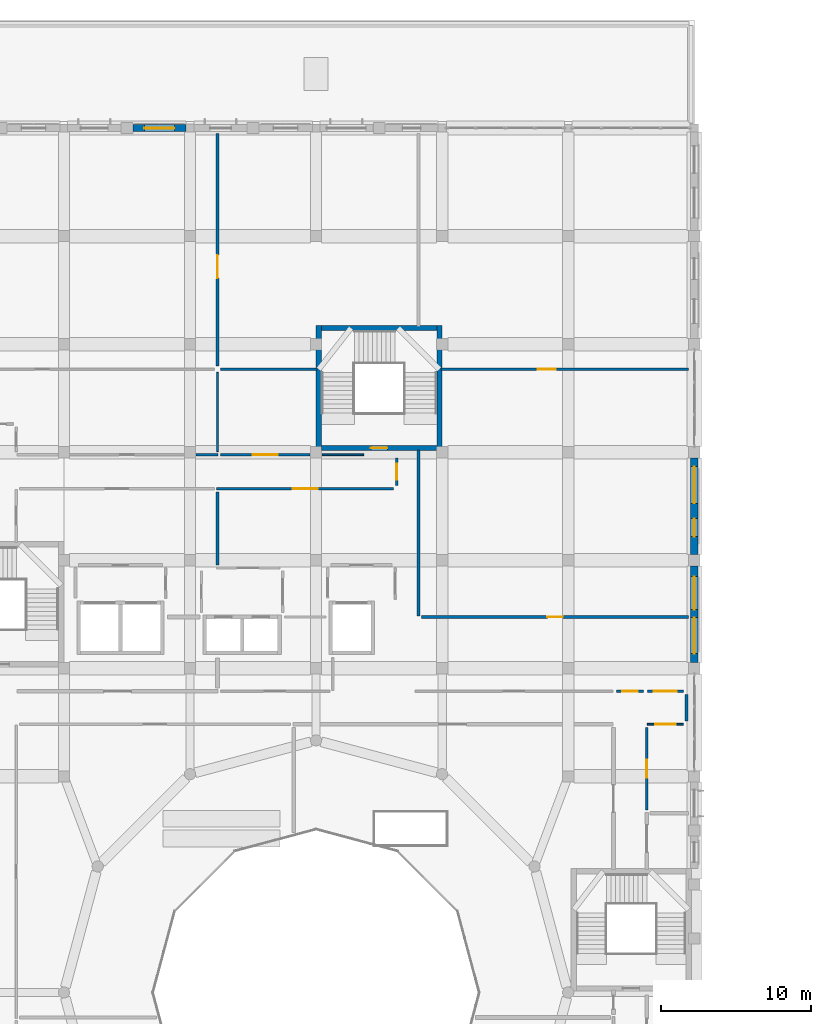
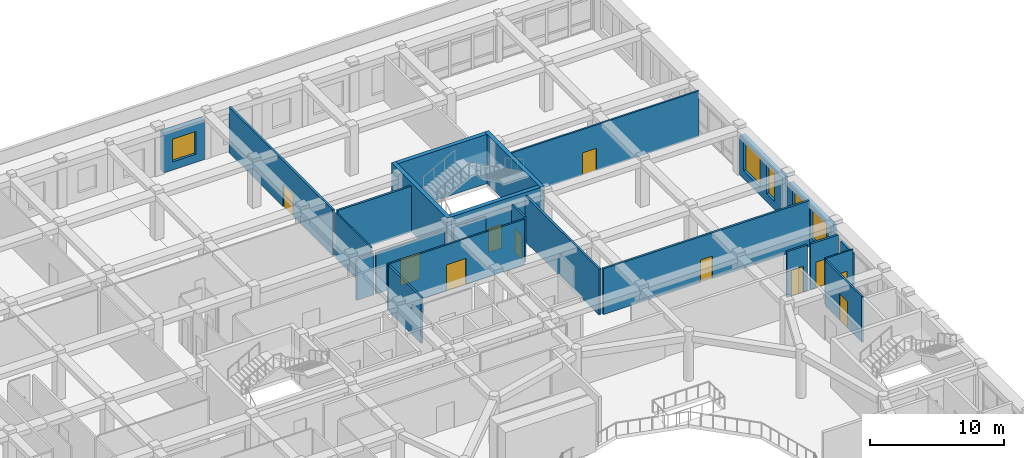
# One storey, part 69 of 111: 24 walls, 11 doors, 5 windows, 16 openings.
"""IFC4 building model written with IfcOpenShell, lengths in metres."""

from ifc_helpers import new_model, si_unit, derived_unit, direction, frame, frame_2d, origin, place, context, subcontext, project, spatial, rectangle, extrude, material, layer, layer_set, type_object, element, fill, save


model = new_model("IFC4")

# Units and contexts
model_context = context("Model", 3, precision=1e-05, world=origin(), true_north=direction((0.0, 1.0)))
body_context = subcontext(model_context, "Body", "Model", "MODEL_VIEW")
ifc_project = project(units=[si_unit("LENGTHUNIT", "METRE"), si_unit("AREAUNIT", "SQUARE_METRE"), si_unit("VOLUMEUNIT", "CUBIC_METRE"), si_unit("PLANEANGLEUNIT", "RADIAN"), si_unit("MASSUNIT", "GRAM", prefix="KILO"), derived_unit("THERMALTRANSMITTANCEUNIT", [(si_unit("POWERUNIT", "WATT"), 1), (si_unit("LENGTHUNIT", "METRE"), -2), (si_unit("THERMODYNAMICTEMPERATUREUNIT", "KELVIN"), -1)])], contexts=[model_context])

# Site, building, storey
site_placement = place(None, origin())
site = spatial("IfcSite", under=ifc_project, at=site_placement, CompositionType="ELEMENT")
building_placement = place(site_placement, origin())
building = spatial("IfcBuilding", under=site, at=building_placement, Name="Veybourne Emporium", CompositionType="ELEMENT")
storey_placement = place(building_placement, frame((0.0, 0.0, 9.89990234375)))
storey = spatial("IfcBuildingStorey", under=building, at=storey_placement, Name="L02", CompositionType="ELEMENT", Elevation=9.89990234375)

# Wall, opening, window
ifc_material_1 = material(Name="Portland Limestone Ashlar", Category="masonry")
ifc_layer_1 = layer(ifc_material_1, 0.47998046875)
ifc_layer_set_1 = layer_set([ifc_layer_1], Name="Portland Limestone Ashlar")
wall_type_1 = type_object("IfcWallType", Name="ExtWall_EW-01", PredefinedType="SOLIDWALL", material=ifc_layer_set_1)
wall_1_placement = place(storey_placement, frame((63.39990234375, 108.0, 0.0), z_axis=(0.0, 0.0, 1.0), x_axis=(1.0, 0.0, 0.0)))
wall_1 = element("IfcWall", 1, at=wall_1_placement, inside=storey, type_object=wall_type_1, Name="L02 Portland stone external wall 034B", PredefinedType="SOLIDWALL", context=body_context, shape_type="SweptSolid", body=[
    extrude(rectangle(XDim=3.525146484375, YDim=0.47998046875, at=frame_2d((1.7626953125, 0.0))), origin(), (0.0, 0.0, 1.0), 3.630126953125),
])
opening_1_placement = place(wall_1_placement, frame((0.762451171875, 0.0, 0.75)))
opening_1 = element("IfcOpeningElement", 2, at=opening_1_placement, cuts=wall_1, Name="Opening W-13", PredefinedType="OPENING", context=body_context, shape_type="SweptSolid", body=[
    extrude(rectangle(XDim=2.0, YDim=2.080078125, at=frame_2d((1.0, 1.0400390625))), frame((0.0, 0.260009765625, 0.0), z_axis=(0.0, -1.0, 0.0), x_axis=(1.0, 0.0, 0.0)), (0.0, 0.0, 1.0), 0.52001953125),
])
ifc_material_2 = material(Name="Low-E Triple Glazing", Category="glass")
window_type_1 = type_object("IfcWindowType", Name="Win_W-13", PartitioningType="TRIPLE_PANEL_VERTICAL", PredefinedType="WINDOW", material=ifc_material_2)
window_1_placement = place(opening_1_placement, origin())
window_1 = element("IfcWindow", 3, at=window_1_placement, inside=storey, type_object=window_type_1, Name="L02 tripartite bronze casement window W-13 (34B)", OverallHeight=2.080078125, OverallWidth=2.0, PartitioningType="TRIPLE_PANEL_VERTICAL", PredefinedType="WINDOW", context=body_context, shape_type="SweptSolid", body=[
    extrude(rectangle(XDim=2.0, YDim=2.080078125, at=frame_2d((1.0, 1.0400390625))), frame((0.0, 0.030029296875, 0.0), z_axis=(0.0, -1.0, 0.0), x_axis=(1.0, 0.0, 0.0)), (0.0, 0.0, 1.0), 0.06005859375),
])
fill(opening_1, window_1)

# Wall, openings, windows
wall_2_placement = place(storey_placement, frame((100.800048828125, 78.824951171875, 0.0), z_axis=(0.0, 0.0, 1.0), x_axis=(0.0, -1.0, 0.0)))
wall_2 = element("IfcWall", 4, at=wall_2_placement, inside=storey, type_object=wall_type_1, Name="L02 Portland stone external wall 055", PredefinedType="SOLIDWALL", context=body_context, shape_type="SweptSolid", body=[
    extrude(rectangle(XDim=6.449951171875, YDim=0.47998046875, at=frame_2d((3.22509765625, 0.0))), origin(), (0.0, 0.0, 1.0), 3.630126953125),
])
opening_2_placement = place(wall_2_placement, frame((0.7060546875, 0.0, 0.75)))
opening_2 = element("IfcOpeningElement", 5, at=opening_2_placement, cuts=wall_2, Name="Opening W-38", PredefinedType="OPENING", context=body_context, shape_type="SweptSolid", body=[
    extrude(rectangle(XDim=2.199951171875, YDim=2.6201171875, at=frame_2d((1.10009765625, 1.31005859375))), frame((0.0, 0.260009765625, 0.0), z_axis=(0.0, -1.0, 0.0), x_axis=(1.0, 0.0, 0.0)), (0.0, 0.0, 1.0), 0.52001953125),
])
opening_3_placement = place(wall_2_placement, frame((3.444091796875, 0.0, 0.75)))
opening_3 = element("IfcOpeningElement", 6, at=opening_3_placement, cuts=wall_2, Name="Opening W-39", PredefinedType="OPENING", context=body_context, shape_type="SweptSolid", body=[
    extrude(rectangle(XDim=2.39990234375, YDim=2.6201171875, at=frame_2d((1.199951171875, 1.31005859375))), frame((0.0, 0.260009765625, 0.0), z_axis=(0.0, -1.0, 0.0), x_axis=(1.0, 0.0, 0.0)), (0.0, 0.0, 1.0), 0.52001953125),
])
window_type_2 = type_object("IfcWindowType", Name="Win_W-38", PartitioningType="TRIPLE_PANEL_VERTICAL", PredefinedType="WINDOW", material=ifc_material_2)
window_2_placement = place(opening_2_placement, origin())
window_2 = element("IfcWindow", 7, at=window_2_placement, inside=storey, type_object=window_type_2, Name="L02 tripartite bronze casement window W-38 (55.1)", OverallHeight=2.6201171875, OverallWidth=2.199951171875, PartitioningType="TRIPLE_PANEL_VERTICAL", PredefinedType="WINDOW", context=body_context, shape_type="SweptSolid", body=[
    extrude(rectangle(XDim=2.199951171875, YDim=2.6201171875, at=frame_2d((1.10009765625, 1.31005859375))), frame((0.0, 0.030029296875, 0.0), z_axis=(0.0, -1.0, 0.0), x_axis=(1.0, 0.0, 0.0)), (0.0, 0.0, 1.0), 0.06005859375),
])
fill(opening_2, window_2)
window_type_3 = type_object("IfcWindowType", Name="Win_W-39", PartitioningType="TRIPLE_PANEL_VERTICAL", PredefinedType="WINDOW", material=ifc_material_2)
window_3_placement = place(opening_3_placement, origin())
window_3 = element("IfcWindow", 8, at=window_3_placement, inside=storey, type_object=window_type_3, Name="L02 tripartite bronze casement window W-39 (55.2)", OverallHeight=2.6201171875, OverallWidth=2.39990234375, PartitioningType="TRIPLE_PANEL_VERTICAL", PredefinedType="WINDOW", context=body_context, shape_type="SweptSolid", body=[
    extrude(rectangle(XDim=2.39990234375, YDim=2.6201171875, at=frame_2d((1.199951171875, 1.31005859375))), frame((0.0, 0.030029296875, 0.0), z_axis=(0.0, -1.0, 0.0), x_axis=(1.0, 0.0, 0.0)), (0.0, 0.0, 1.0), 0.06005859375),
])
fill(opening_3, window_3)

wall_3_placement = place(storey_placement, frame((100.800048828125, 86.02490234375, 0.0), z_axis=(0.0, 0.0, 1.0), x_axis=(0.0, -1.0, 0.0)))
wall_3 = element("IfcWall", 9, at=wall_3_placement, inside=storey, type_object=wall_type_1, Name="L02 Portland stone external wall 056", PredefinedType="SOLIDWALL", context=body_context, shape_type="SweptSolid", body=[
    extrude(rectangle(XDim=6.449951171875, YDim=0.47998046875, at=frame_2d((3.22509765625, 0.0))), origin(), (0.0, 0.0, 1.0), 3.630126953125),
])
opening_4_placement = place(wall_3_placement, frame((0.5810546875, 0.0, 0.75)))
opening_4 = element("IfcOpeningElement", 10, at=opening_4_placement, cuts=wall_3, Name="Opening W-40", PredefinedType="OPENING", context=body_context, shape_type="SweptSolid", body=[
    extrude(rectangle(XDim=2.449951171875, YDim=2.6201171875, at=frame_2d((1.22509765625, 1.31005859375))), frame((0.0, 0.260009765625, 0.0), z_axis=(0.0, -1.0, 0.0), x_axis=(1.0, 0.0, 0.0)), (0.0, 0.0, 1.0), 0.52001953125),
])
opening_5_placement = place(wall_3_placement, frame((4.0439453125, 0.0, 0.75)))
opening_5 = element("IfcOpeningElement", 11, at=opening_5_placement, cuts=wall_3, Name="Opening W-41", PredefinedType="OPENING", context=body_context, shape_type="SweptSolid", body=[
    extrude(rectangle(XDim=1.199951171875, YDim=2.72998046875, at=frame_2d((0.60009765625, 1.364990234375))), frame((0.0, 0.260009765625, 0.0), z_axis=(0.0, -1.0, 0.0), x_axis=(1.0, 0.0, 0.0)), (0.0, 0.0, 1.0), 0.52001953125),
])
window_type_4 = type_object("IfcWindowType", Name="Win_W-40", PartitioningType="TRIPLE_PANEL_VERTICAL", PredefinedType="WINDOW", material=ifc_material_2)
window_4_placement = place(opening_4_placement, origin())
window_4 = element("IfcWindow", 12, at=window_4_placement, inside=storey, type_object=window_type_4, Name="L02 tripartite bronze casement window W-40 (56.1)", OverallHeight=2.6201171875, OverallWidth=2.449951171875, PartitioningType="TRIPLE_PANEL_VERTICAL", PredefinedType="WINDOW", context=body_context, shape_type="SweptSolid", body=[
    extrude(rectangle(XDim=2.449951171875, YDim=2.6201171875, at=frame_2d((1.22509765625, 1.31005859375))), frame((0.0, 0.030029296875, 0.0), z_axis=(0.0, -1.0, 0.0), x_axis=(1.0, 0.0, 0.0)), (0.0, 0.0, 1.0), 0.06005859375),
])
fill(opening_4, window_4)
window_type_5 = type_object("IfcWindowType", Name="Win_W-41", PartitioningType="SINGLE_PANEL", PredefinedType="WINDOW", material=ifc_material_2)
window_5_placement = place(opening_5_placement, origin())
window_5 = element("IfcWindow", 13, at=window_5_placement, inside=storey, type_object=window_type_5, Name="L02 tripartite bronze casement window W-41 (56.2)", OverallHeight=2.72998046875, OverallWidth=1.199951171875, PartitioningType="SINGLE_PANEL", PredefinedType="WINDOW", context=body_context, shape_type="SweptSolid", body=[
    extrude(rectangle(XDim=1.199951171875, YDim=2.72998046875, at=frame_2d((0.60009765625, 1.364990234375))), frame((0.0, 0.030029296875, 0.0), z_axis=(0.0, -1.0, 0.0), x_axis=(1.0, 0.0, 0.0)), (0.0, 0.0, 1.0), 0.06005859375),
])
fill(opening_5, window_5)

# Wall, opening, door
ifc_material_3 = material(Name="Concrete C40/50", Category="concrete")
ifc_layer_2 = layer(ifc_material_3, 0.35009765625)
ifc_layer_set_2 = layer_set([ifc_layer_2], Name="Concrete C40/50")
wall_type_2 = type_object("IfcWallType", Name="IntWall_CW-02", PredefinedType="SHEAR", material=ifc_layer_set_2)
wall_4_placement = place(storey_placement, frame((83.64990234375, 86.675048828125, 0.0), z_axis=(0.0, 0.0, 1.0), x_axis=(-1.0, 0.0, 0.0)))
wall_4 = element("IfcWall", 14, at=wall_4_placement, inside=storey, type_object=wall_type_2, Name="Core stair ST-04 south shear wall (L02)", PredefinedType="SHEAR", context=body_context, shape_type="SweptSolid", body=[
    extrude(rectangle(XDim=7.699951171875, YDim=0.35009765625, at=frame_2d((3.85009765625, 0.0))), origin(), (0.0, 0.0, 1.0), 4.5),
])
opening_6_placement = place(wall_4_placement, frame((3.300048828125, 0.0, 0.0)))
opening_6 = element("IfcOpeningElement", 15, at=opening_6_placement, cuts=wall_4, Name="Opening FD-01", PredefinedType="OPENING", context=body_context, shape_type="SweptSolid", body=[
    extrude(rectangle(XDim=1.10009765625, YDim=2.199951171875, at=frame_2d((0.550048828125, 1.10009765625))), frame((0.0, 0.195068359375, 0.0), z_axis=(0.0, -1.0, 0.0), x_axis=(1.0, 0.0, 0.0)), (0.0, 0.0, 1.0), 0.39013671875),
])
ifc_material_4 = material(Name="Patinated Architectural Bronze", Category="bronze")
door_type_1 = type_object("IfcDoorType", Name="FireDoor_FD-01", OperationType="NOTDEFINED", PredefinedType="DOOR", material=ifc_material_4)
door_1_placement = place(opening_6_placement, origin())
door_1 = element("IfcDoor", 16, at=door_1_placement, inside=storey, type_object=door_type_1, Name="Stair ST-04 fire door (L02)", OperationType="SINGLE_SWING_RIGHT", OverallHeight=2.199951171875, OverallWidth=1.10009765625, PredefinedType="DOOR", context=body_context, shape_type="SweptSolid", body=[
    extrude(rectangle(XDim=1.10009765625, YDim=2.199951171875, at=frame_2d((0.550048828125, 1.10009765625))), frame((0.0, 0.02490234375, 0.0), z_axis=(0.0, -1.0, 0.0), x_axis=(1.0, 0.0, 0.0)), (0.0, 0.0, 1.0), 0.050048828125),
])
fill(opening_6, door_1)

# Walls
wall_5_placement = place(storey_placement, frame((75.949951171875, 94.675048828125, 0.0), z_axis=(0.0, 0.0, 1.0), x_axis=(1.0, 0.0, 0.0)))
element("IfcWall", 17, at=wall_5_placement, inside=storey, type_object=wall_type_2, Name="Core stair ST-04 north shear wall (L02)", PredefinedType="SHEAR", context=body_context, shape_type="SweptSolid", body=[
    extrude(rectangle(XDim=7.699951171875, YDim=0.35009765625, at=frame_2d((3.85009765625, 0.0))), origin(), (0.0, 0.0, 1.0), 4.5),
])
for number, where, z_axis, x_axis, name in (
    (18, (75.77490234375, 94.85009765625, 0.0), (0.0, 0.0, 1.0), (0.0, -1.0, 0.0), "Core stair ST-04 west shear wall (L02)"),
    (19, (83.824951171875, 86.5, 0.0), (0.0, 0.0, 1.0), (0.0, 1.0, 0.0), "Core stair ST-04 east shear wall (L02)"),
):
    element("IfcWall", number, at=place(storey_placement, frame(where, z_axis=z_axis, x_axis=x_axis)), inside=storey, type_object=wall_type_2, Name=name, PredefinedType="SHEAR", context=body_context, shape_type="SweptSolid", body=[
        extrude(rectangle(XDim=8.35009765625, YDim=0.35009765625, at=frame_2d((4.175048828125, 0.0))), origin(), (0.0, 0.0, 1.0), 4.5),
    ])
ifc_material_5 = material(Name="Gypsum Acoustic Board", Category="gypsum")
ifc_layer_3 = layer(ifc_material_5, 0.179931640625)
ifc_layer_set_3 = layer_set([ifc_layer_3], Name="Gypsum Acoustic Board")
wall_type_3 = type_object("IfcWallType", Name="IntWall_IW-01", PredefinedType="PARTITIONING", material=ifc_layer_set_3)
wall_6_placement = place(storey_placement, frame((67.594970703125, 86.22998046875, 0.0), z_axis=(0.0, 0.0, 1.0), x_axis=(1.0, 0.0, 0.0)))
element("IfcWall", 20, at=wall_6_placement, inside=storey, type_object=wall_type_3, Name="L02 interior partition IW-01 #036", PredefinedType="PARTITIONING", context=body_context, shape_type="SweptSolid", body=[
    extrude(rectangle(XDim=1.485107421875, YDim=0.179931640625, at=frame_2d((0.74267578125, 0.0))), origin(), (0.0, 0.0, 1.0), 3.72998046875),
])

# Wall, opening, door
wall_7_placement = place(storey_placement, frame((97.679931640625, 70.47998046875, 0.0), z_axis=(0.0, 0.0, 1.0), x_axis=(1.0, 0.0, 0.0)))
wall_7 = element("IfcWall", 21, at=wall_7_placement, inside=storey, type_object=wall_type_3, Name="L02 interior partition IW-01 #117", PredefinedType="PARTITIONING", context=body_context, shape_type="SweptSolid", body=[
    extrude(rectangle(XDim=2.39013671875, YDim=0.179931640625, at=frame_2d((1.195068359375, 0.0))), origin(), (0.0, 0.0, 1.0), 4.18017578125),
])
opening_7_placement = place(wall_7_placement, frame((0.43505859375, 0.0, 0.0)))
opening_7 = element("IfcOpeningElement", 22, at=opening_7_placement, cuts=wall_7, Name="Opening D-29", PredefinedType="OPENING", context=body_context, shape_type="SweptSolid", body=[
    extrude(rectangle(XDim=1.52001953125, YDim=2.3701171875, at=frame_2d((0.760009765625, 1.18505859375))), frame((0.0, 0.10986328125, 0.0), z_axis=(0.0, -1.0, 0.0), x_axis=(1.0, 0.0, 0.0)), (0.0, 0.0, 1.0), 0.219970703125),
])
ifc_material_6 = material(Name="European Oak Veneer and Bronze", Category="wood")
door_type_2 = type_object("IfcDoorType", Name="IntDoor_D-29", OperationType="NOTDEFINED", PredefinedType="DOOR", material=ifc_material_6)
door_2_placement = place(opening_7_placement, origin())
door_2 = element("IfcDoor", 23, at=door_2_placement, inside=storey, type_object=door_type_2, Name="L02 interior door D-29 (PART-L02-117)", OperationType="SINGLE_SWING_LEFT", OverallHeight=2.3701171875, OverallWidth=1.52001953125, PredefinedType="DOOR", context=body_context, shape_type="SweptSolid", body=[
    extrude(rectangle(XDim=1.52001953125, YDim=2.3701171875, at=frame_2d((0.760009765625, 1.18505859375))), frame((0.0, 0.02490234375, 0.0), z_axis=(0.0, -1.0, 0.0), x_axis=(1.0, 0.0, 0.0)), (0.0, 0.0, 1.0), 0.050048828125),
])
fill(opening_7, door_2)

wall_8_placement = place(storey_placement, frame((80.97998046875, 84.179931640625, 0.0), z_axis=(0.0, 0.0, 1.0), x_axis=(0.0, 1.0, 0.0)))
wall_8 = element("IfcWall", 24, at=wall_8_placement, inside=storey, type_object=wall_type_3, Name="L02 interior partition IW-01 #138", PredefinedType="PARTITIONING", context=body_context, shape_type="SweptSolid", body=[
    extrude(rectangle(XDim=1.840087890625, YDim=0.179931640625, at=frame_2d((0.919921875, 0.0))), origin(), (0.0, 0.0, 1.0), 4.18017578125),
])
opening_8_placement = place(wall_8_placement, frame((0.39990234375, 0.0, 0.0)))
opening_8 = element("IfcOpeningElement", 25, at=opening_8_placement, cuts=wall_8, Name="Opening D-14", PredefinedType="OPENING", context=body_context, shape_type="SweptSolid", body=[
    extrude(rectangle(XDim=1.0400390625, YDim=2.2099609375, at=frame_2d((0.52001953125, 1.10498046875))), frame((0.0, 0.10986328125, 0.0), z_axis=(0.0, -1.0, 0.0), x_axis=(1.0, 0.0, 0.0)), (0.0, 0.0, 1.0), 0.219970703125),
])
door_type_3 = type_object("IfcDoorType", Name="IntDoor_D-14", OperationType="NOTDEFINED", PredefinedType="DOOR", material=ifc_material_6)
door_3_placement = place(opening_8_placement, origin())
door_3 = element("IfcDoor", 26, at=door_3_placement, inside=storey, type_object=door_type_3, Name="L02 interior door D-14 (PART-L02-138)", OperationType="SINGLE_SWING_RIGHT", OverallHeight=2.2099609375, OverallWidth=1.0400390625, PredefinedType="DOOR", context=body_context, shape_type="SweptSolid", body=[
    extrude(rectangle(XDim=1.0400390625, YDim=2.2099609375, at=frame_2d((0.52001953125, 1.10498046875))), frame((0.0, 0.02490234375, 0.0), z_axis=(0.0, -1.0, 0.0), x_axis=(1.0, 0.0, 0.0)), (0.0, 0.0, 1.0), 0.050048828125),
])
fill(opening_8, door_3)

# Wall
wall_9_placement = place(storey_placement, frame((100.280029296875, 68.47998046875, 0.0), z_axis=(0.0, 0.0, 1.0), x_axis=(0.0, 1.0, 0.0)))
element("IfcWall", 27, at=wall_9_placement, inside=storey, type_object=wall_type_3, Name="L02 interior partition IW-01 #141", PredefinedType="PARTITIONING", context=body_context, shape_type="SweptSolid", body=[
    extrude(rectangle(XDim=1.7900390625, YDim=0.179931640625, at=frame_2d((0.89501953125, 0.0))), origin(), (0.0, 0.0, 1.0), 3.630126953125),
])

# Wall, opening, door
wall_10_placement = place(storey_placement, frame((95.6298828125, 70.47998046875, 0.0), z_axis=(0.0, 0.0, 1.0), x_axis=(1.0, 0.0, 0.0)))
wall_10 = element("IfcWall", 28, at=wall_10_placement, inside=storey, type_object=wall_type_3, Name="L02 interior partition IW-01 #150", PredefinedType="PARTITIONING", context=body_context, shape_type="SweptSolid", body=[
    extrude(rectangle(XDim=1.7900390625, YDim=0.179931640625, at=frame_2d((0.89501953125, 0.0))), origin(), (0.0, 0.0, 1.0), 4.18017578125),
])
opening_9_placement = place(wall_10_placement, frame((0.375, 0.0, 0.0)))
opening_9 = element("IfcOpeningElement", 29, at=opening_9_placement, cuts=wall_10, Name="Opening D-26", PredefinedType="OPENING", context=body_context, shape_type="SweptSolid", body=[
    extrude(rectangle(XDim=1.0400390625, YDim=2.3701171875, at=frame_2d((0.52001953125, 1.18505859375))), frame((0.0, 0.10986328125, 0.0), z_axis=(0.0, -1.0, 0.0), x_axis=(1.0, 0.0, 0.0)), (0.0, 0.0, 1.0), 0.219970703125),
])
door_type_4 = type_object("IfcDoorType", Name="IntDoor_D-26", OperationType="NOTDEFINED", PredefinedType="DOOR", material=ifc_material_6)
door_4_placement = place(opening_9_placement, origin())
door_4 = element("IfcDoor", 30, at=door_4_placement, inside=storey, type_object=door_type_4, Name="L02 interior door D-26 (PART-L02-150)", OperationType="SINGLE_SWING_RIGHT", OverallHeight=2.3701171875, OverallWidth=1.0400390625, PredefinedType="DOOR", context=body_context, shape_type="SweptSolid", body=[
    extrude(rectangle(XDim=1.0400390625, YDim=2.3701171875, at=frame_2d((0.52001953125, 1.18505859375))), frame((0.0, 0.02490234375, 0.0), z_axis=(0.0, -1.0, 0.0), x_axis=(1.0, 0.0, 0.0)), (0.0, 0.0, 1.0), 0.050048828125),
])
fill(opening_9, door_4)

wall_11_placement = place(storey_placement, frame((82.6298828125, 75.423095703125, 0.0), z_axis=(0.0, 0.0, 1.0), x_axis=(1.0, 0.0, 0.0)))
wall_11 = element("IfcWall", 31, at=wall_11_placement, inside=storey, type_object=wall_type_3, Name="L02 interior partition IW-01 #162", PredefinedType="PARTITIONING", context=body_context, shape_type="SweptSolid", body=[
    extrude(rectangle(XDim=17.800048828125, YDim=0.179931640625, at=frame_2d((8.89990234375, 0.0))), origin(), (0.0, 0.0, 1.0), 4.18017578125),
])
opening_10_placement = place(wall_11_placement, frame((8.3798828125, 0.0, 0.0)))
opening_10 = element("IfcOpeningElement", 32, at=opening_10_placement, cuts=wall_11, Name="Opening D-02", PredefinedType="OPENING", context=body_context, shape_type="SweptSolid", body=[
    extrude(rectangle(XDim=1.0400390625, YDim=2.050048828125, at=frame_2d((0.52001953125, 1.02490234375))), frame((0.0, 0.10986328125, 0.0), z_axis=(0.0, -1.0, 0.0), x_axis=(1.0, 0.0, 0.0)), (0.0, 0.0, 1.0), 0.219970703125),
])
door_type_5 = type_object("IfcDoorType", Name="IntDoor_D-02", OperationType="NOTDEFINED", PredefinedType="DOOR", material=ifc_material_6)
door_5_placement = place(opening_10_placement, origin())
door_5 = element("IfcDoor", 33, at=door_5_placement, inside=storey, type_object=door_type_5, Name="L02 interior door D-02 (PART-L02-162)", OperationType="SINGLE_SWING_LEFT", OverallHeight=2.050048828125, OverallWidth=1.0400390625, PredefinedType="DOOR", context=body_context, shape_type="SweptSolid", body=[
    extrude(rectangle(XDim=1.0400390625, YDim=2.050048828125, at=frame_2d((0.52001953125, 1.02490234375))), frame((0.0, 0.02490234375, 0.0), z_axis=(0.0, -1.0, 0.0), x_axis=(1.0, 0.0, 0.0)), (0.0, 0.0, 1.0), 0.050048828125),
])
fill(opening_10, door_5)

wall_12_placement = place(storey_placement, frame((69.030029296875, 92.139892578125, 0.0), z_axis=(0.0, 0.0, 1.0), x_axis=(0.0, 1.0, 0.0)))
wall_12 = element("IfcWall", 34, at=wall_12_placement, inside=storey, type_object=wall_type_3, Name="L02 interior partition IW-01 #168", PredefinedType="PARTITIONING", context=body_context, shape_type="SweptSolid", body=[
    extrude(rectangle(XDim=15.489990234375, YDim=0.179931640625, at=frame_2d((7.7451171875, 0.0))), origin(), (0.0, 0.0, 1.0), 4.18017578125),
])
opening_11_placement = place(wall_12_placement, frame((5.867431640625, 0.0, 0.0)))
opening_11 = element("IfcOpeningElement", 35, at=opening_11_placement, cuts=wall_12, Name="Opening D-05", PredefinedType="OPENING", context=body_context, shape_type="SweptSolid", body=[
    extrude(rectangle(XDim=1.52001953125, YDim=2.050048828125, at=frame_2d((0.760009765625, 1.02490234375))), frame((0.0, 0.10986328125, 0.0), z_axis=(0.0, -1.0, 0.0), x_axis=(1.0, 0.0, 0.0)), (0.0, 0.0, 1.0), 0.219970703125),
])
door_type_6 = type_object("IfcDoorType", Name="IntDoor_D-05", OperationType="NOTDEFINED", PredefinedType="DOOR", material=ifc_material_6)
door_6_placement = place(opening_11_placement, origin())
door_6 = element("IfcDoor", 36, at=door_6_placement, inside=storey, type_object=door_type_6, Name="L02 interior door D-05 (PART-L02-168)", OperationType="SINGLE_SWING_RIGHT", OverallHeight=2.050048828125, OverallWidth=1.52001953125, PredefinedType="DOOR", context=body_context, shape_type="SweptSolid", body=[
    extrude(rectangle(XDim=1.52001953125, YDim=2.050048828125, at=frame_2d((0.760009765625, 1.02490234375))), frame((0.0, 0.02490234375, 0.0), z_axis=(0.0, -1.0, 0.0), x_axis=(1.0, 0.0, 0.0)), (0.0, 0.0, 1.0), 0.050048828125),
])
fill(opening_11, door_6)

# Walls
wall_13_placement = place(storey_placement, frame((82.419921875, 75.472900390625, 0.0), z_axis=(0.0, 0.0, 1.0), x_axis=(0.0, 1.0, 0.0)))
element("IfcWall", 37, at=wall_13_placement, inside=storey, type_object=wall_type_3, Name="L02 interior partition IW-01 #180", PredefinedType="PARTITIONING", context=body_context, shape_type="SweptSolid", body=[
    extrude(rectangle(XDim=11.087158203125, YDim=0.179931640625, at=frame_2d((5.54345703125, 0.0))), origin(), (0.0, 0.0, 1.0), 4.18017578125),
])
wall_14_placement = place(storey_placement, frame((69.239990234375, 91.929931640625, 0.0), z_axis=(0.0, 0.0, 1.0), x_axis=(1.0, 0.0, 0.0)))
element("IfcWall", 38, at=wall_14_placement, inside=storey, type_object=wall_type_3, Name="L02 interior partition IW-01 #192", PredefinedType="PARTITIONING", context=body_context, shape_type="SweptSolid", body=[
    extrude(rectangle(XDim=6.419921875, YDim=0.179931640625, at=frame_2d((3.2099609375, 0.0))), origin(), (0.0, 0.0, 1.0), 4.18017578125),
])
wall_15_placement = place(storey_placement, frame((69.030029296875, 78.889892578125, 0.0), z_axis=(0.0, 0.0, 1.0), x_axis=(0.0, 1.0, 0.0)))
element("IfcWall", 39, at=wall_15_placement, inside=storey, type_object=wall_type_3, Name="L02 interior partition IW-01 #195", PredefinedType="PARTITIONING", context=body_context, shape_type="SweptSolid", body=[
    extrude(rectangle(XDim=4.8701171875, YDim=0.179931640625, at=frame_2d((2.43505859375, 0.0))), origin(), (0.0, 0.0, 1.0), 4.18017578125),
])

# Wall, opening, door
ifc_layer_4 = layer(ifc_material_5, 0.14990234375)
ifc_layer_set_4 = layer_set([ifc_layer_4], Name="Gypsum Acoustic Board")
wall_type_4 = type_object("IfcWallType", Name="IntWall_IW-02", PredefinedType="PARTITIONING", material=ifc_layer_set_4)
wall_16_placement = place(storey_placement, frame((68.97998046875, 83.969970703125, 0.0), z_axis=(0.0, 0.0, 1.0), x_axis=(1.0, 0.0, 0.0)))
wall_16 = element("IfcWall", 40, at=wall_16_placement, inside=storey, type_object=wall_type_4, Name="L02 interior partition IW-02 #046", PredefinedType="PARTITIONING", context=body_context, shape_type="SweptSolid", body=[
    extrude(rectangle(XDim=11.7900390625, YDim=0.14990234375, at=frame_2d((5.89501953125, 0.0))), origin(), (0.0, 0.0, 1.0), 4.18017578125),
])
opening_12_placement = place(wall_16_placement, frame((5.054931640625, 0.0, 0.0)))
opening_12 = element("IfcOpeningElement", 41, at=opening_12_placement, cuts=wall_16, Name="Opening D-30", PredefinedType="OPENING", context=body_context, shape_type="SweptSolid", body=[
    extrude(rectangle(XDim=1.679931640625, YDim=2.3701171875, at=frame_2d((0.83984375, 1.18505859375))), frame((0.0, 0.094970703125, 0.0), z_axis=(0.0, -1.0, 0.0), x_axis=(1.0, 0.0, 0.0)), (0.0, 0.0, 1.0), 0.18994140625),
])
door_type_7 = type_object("IfcDoorType", Name="IntDoor_D-30", OperationType="DOUBLE_DOOR_SINGLE_SWING", PredefinedType="DOOR", material=ifc_material_6)
door_7_placement = place(opening_12_placement, origin())
door_7 = element("IfcDoor", 42, at=door_7_placement, inside=storey, type_object=door_type_7, Name="L02 interior door D-30 (PART-L02-046)", OperationType="DOUBLE_DOOR_SINGLE_SWING", OverallHeight=2.3701171875, OverallWidth=1.679931640625, PredefinedType="DOOR", context=body_context, shape_type="SweptSolid", body=[
    extrude(rectangle(XDim=1.679931640625, YDim=2.3701171875, at=frame_2d((0.83984375, 1.18505859375))), frame((0.0, 0.02490234375, 0.0), z_axis=(0.0, -1.0, 0.0), x_axis=(1.0, 0.0, 0.0)), (0.0, 0.0, 1.0), 0.050048828125),
])
fill(opening_12, door_7)

wall_17_placement = place(storey_placement, frame((69.239990234375, 86.22998046875, 0.0), z_axis=(0.0, 0.0, 1.0), x_axis=(1.0, 0.0, 0.0)))
wall_17 = element("IfcWall", 43, at=wall_17_placement, inside=storey, type_object=wall_type_4, Name="L02 interior partition IW-02 #052", PredefinedType="PARTITIONING", context=body_context, shape_type="SweptSolid", body=[
    extrude(rectangle(XDim=5.965087890625, YDim=0.14990234375, at=frame_2d((2.982421875, 0.0))), origin(), (0.0, 0.0, 1.0), 3.72998046875),
])
opening_13_placement = place(wall_17_placement, frame((2.142578125, 0.0, 0.0)))
opening_13 = element("IfcOpeningElement", 44, at=opening_13_placement, cuts=wall_17, Name="Opening D-36", PredefinedType="OPENING", context=body_context, shape_type="SweptSolid", body=[
    extrude(rectangle(XDim=1.679931640625, YDim=2.449951171875, at=frame_2d((0.83984375, 1.22509765625))), frame((0.0, 0.094970703125, 0.0), z_axis=(0.0, -1.0, 0.0), x_axis=(1.0, 0.0, 0.0)), (0.0, 0.0, 1.0), 0.18994140625),
])
door_type_8 = type_object("IfcDoorType", Name="IntDoor_D-36", OperationType="DOUBLE_DOOR_SINGLE_SWING", PredefinedType="DOOR", material=ifc_material_6)
door_8_placement = place(opening_13_placement, origin())
door_8 = element("IfcDoor", 45, at=door_8_placement, inside=storey, type_object=door_type_8, Name="L02 interior door D-36 (PART-L02-052)", OperationType="DOUBLE_DOOR_SINGLE_SWING", OverallHeight=2.449951171875, OverallWidth=1.679931640625, PredefinedType="DOOR", context=body_context, shape_type="SweptSolid", body=[
    extrude(rectangle(XDim=1.679931640625, YDim=2.449951171875, at=frame_2d((0.83984375, 1.22509765625))), frame((0.0, 0.02490234375, 0.0), z_axis=(0.0, -1.0, 0.0), x_axis=(1.0, 0.0, 0.0)), (0.0, 0.0, 1.0), 0.050048828125),
])
fill(opening_13, door_8)

wall_18_placement = place(storey_placement, frame((97.6298828125, 62.550048828125, 0.0), z_axis=(0.0, 0.0, 1.0), x_axis=(0.0, 1.0, 0.0)))
wall_18 = element("IfcWall", 46, at=wall_18_placement, inside=storey, type_object=wall_type_4, Name="L02 interior partition IW-02 #085", PredefinedType="PARTITIONING", context=body_context, shape_type="SweptSolid", body=[
    extrude(rectangle(XDim=5.510009765625, YDim=0.14990234375, at=frame_2d((2.7548828125, 0.0))), origin(), (0.0, 0.0, 1.0), 4.18017578125),
])
opening_14_placement = place(wall_18_placement, frame((2.155029296875, 0.0, 0.0)))
opening_14 = element("IfcOpeningElement", 47, at=opening_14_placement, cuts=wall_18, Name="Opening D-33", PredefinedType="OPENING", context=body_context, shape_type="SweptSolid", body=[
    extrude(rectangle(XDim=1.199951171875, YDim=2.449951171875, at=frame_2d((0.60009765625, 1.22509765625))), frame((0.0, 0.094970703125, 0.0), z_axis=(0.0, -1.0, 0.0), x_axis=(1.0, 0.0, 0.0)), (0.0, 0.0, 1.0), 0.18994140625),
])
door_type_9 = type_object("IfcDoorType", Name="IntDoor_D-33", OperationType="NOTDEFINED", PredefinedType="DOOR", material=ifc_material_6)
door_9_placement = place(opening_14_placement, origin())
door_9 = element("IfcDoor", 48, at=door_9_placement, inside=storey, type_object=door_type_9, Name="L02 interior door D-33 (PART-L02-085)", OperationType="SINGLE_SWING_LEFT", OverallHeight=2.449951171875, OverallWidth=1.199951171875, PredefinedType="DOOR", context=body_context, shape_type="SweptSolid", body=[
    extrude(rectangle(XDim=1.199951171875, YDim=2.449951171875, at=frame_2d((0.60009765625, 1.22509765625))), frame((0.0, 0.02490234375, 0.0), z_axis=(0.0, -1.0, 0.0), x_axis=(1.0, 0.0, 0.0)), (0.0, 0.0, 1.0), 0.050048828125),
])
fill(opening_14, door_9)

wall_19_placement = place(storey_placement, frame((83.93994140625, 91.929931640625, 0.0), z_axis=(0.0, 0.0, 1.0), x_axis=(1.0, 0.0, 0.0)))
wall_19 = element("IfcWall", 49, at=wall_19_placement, inside=storey, type_object=wall_type_4, Name="L02 interior partition IW-02 #163", PredefinedType="PARTITIONING", context=body_context, shape_type="SweptSolid", body=[
    extrude(rectangle(XDim=16.489990234375, YDim=0.14990234375, at=frame_2d((8.2451171875, 0.0))), origin(), (0.0, 0.0, 1.0), 4.18017578125),
])
opening_15_placement = place(wall_19_placement, frame((6.421875, 0.0, 0.0)))
opening_15 = element("IfcOpeningElement", 50, at=opening_15_placement, cuts=wall_19, Name="Opening D-03", PredefinedType="OPENING", context=body_context, shape_type="SweptSolid", body=[
    extrude(rectangle(XDim=1.199951171875, YDim=2.050048828125, at=frame_2d((0.60009765625, 1.02490234375))), frame((0.0, 0.094970703125, 0.0), z_axis=(0.0, -1.0, 0.0), x_axis=(1.0, 0.0, 0.0)), (0.0, 0.0, 1.0), 0.18994140625),
])
door_type_10 = type_object("IfcDoorType", Name="IntDoor_D-03", OperationType="NOTDEFINED", PredefinedType="DOOR", material=ifc_material_6)
door_10_placement = place(opening_15_placement, origin())
door_10 = element("IfcDoor", 51, at=door_10_placement, inside=storey, type_object=door_type_10, Name="L02 interior door D-03 (PART-L02-163)", OperationType="SINGLE_SWING_RIGHT", OverallHeight=2.050048828125, OverallWidth=1.199951171875, PredefinedType="DOOR", context=body_context, shape_type="SweptSolid", body=[
    extrude(rectangle(XDim=1.199951171875, YDim=2.050048828125, at=frame_2d((0.60009765625, 1.02490234375))), frame((0.0, 0.02490234375, 0.0), z_axis=(0.0, -1.0, 0.0), x_axis=(1.0, 0.0, 0.0)), (0.0, 0.0, 1.0), 0.050048828125),
])
fill(opening_15, door_10)

# Wall
ifc_layer_5 = layer(ifc_material_5, 0.1201171875)
ifc_layer_set_5 = layer_set([ifc_layer_5], Name="Gypsum Acoustic Board")
wall_type_5 = type_object("IfcWallType", Name="IntWall_IW-03", PredefinedType="PARTITIONING", material=ifc_layer_set_5)
wall_20_placement = place(storey_placement, frame((75.9951171875, 86.22998046875, 0.0), z_axis=(0.0, 0.0, 1.0), x_axis=(1.0, 0.0, 0.0)))
element("IfcWall", 52, at=wall_20_placement, inside=storey, type_object=wall_type_5, Name="L02 interior partition IW-03 #053", PredefinedType="PARTITIONING", context=body_context, shape_type="SweptSolid", body=[
    extrude(rectangle(XDim=2.77783203125, YDim=0.1201171875, at=frame_2d((1.388916015625, 0.0))), origin(), (0.0, 0.0, 1.0), 3.72998046875),
])

# Wall, opening, door
wall_21_placement = place(storey_placement, frame((97.679931640625, 68.27001953125, 0.0), z_axis=(0.0, 0.0, 1.0), x_axis=(1.0, 0.0, 0.0)))
wall_21 = element("IfcWall", 53, at=wall_21_placement, inside=storey, type_object=wall_type_5, Name="L02 interior partition IW-03 #116", PredefinedType="PARTITIONING", context=body_context, shape_type="SweptSolid", body=[
    extrude(rectangle(XDim=2.39013671875, YDim=0.1201171875, at=frame_2d((1.195068359375, 0.0))), origin(), (0.0, 0.0, 1.0), 4.18017578125),
])
opening_16_placement = place(wall_21_placement, frame((0.514892578125, 0.0, 0.0)))
opening_16 = element("IfcOpeningElement", 54, at=opening_16_placement, cuts=wall_21, Name="Opening D-28", PredefinedType="OPENING", context=body_context, shape_type="SweptSolid", body=[
    extrude(rectangle(XDim=1.360107421875, YDim=2.3701171875, at=frame_2d((0.68017578125, 1.18505859375))), frame((0.0, 0.080078125, 0.0), z_axis=(0.0, -1.0, 0.0), x_axis=(1.0, 0.0, 0.0)), (0.0, 0.0, 1.0), 0.16015625),
])
door_type_11 = type_object("IfcDoorType", Name="IntDoor_D-28", OperationType="NOTDEFINED", PredefinedType="DOOR", material=ifc_material_6)
door_11_placement = place(opening_16_placement, origin())
door_11 = element("IfcDoor", 55, at=door_11_placement, inside=storey, type_object=door_type_11, Name="L02 interior door D-28 (PART-L02-116)", OperationType="SINGLE_SWING_RIGHT", OverallHeight=2.3701171875, OverallWidth=1.360107421875, PredefinedType="DOOR", context=body_context, shape_type="SweptSolid", body=[
    extrude(rectangle(XDim=1.360107421875, YDim=2.3701171875, at=frame_2d((0.68017578125, 1.18505859375))), frame((0.0, 0.02490234375, 0.0), z_axis=(0.0, -1.0, 0.0), x_axis=(1.0, 0.0, 0.0)), (0.0, 0.0, 1.0), 0.050048828125),
])
fill(opening_16, door_11)

# Wall
wall_22_placement = place(storey_placement, frame((69.030029296875, 86.43994140625, 0.0), z_axis=(0.0, 0.0, 1.0), x_axis=(0.0, 1.0, 0.0)))
element("IfcWall", 56, at=wall_22_placement, inside=storey, type_object=wall_type_5, Name="L02 interior partition IW-03 #194", PredefinedType="PARTITIONING", context=body_context, shape_type="SweptSolid", body=[
    extrude(rectangle(XDim=5.280029296875, YDim=0.1201171875, at=frame_2d((2.64013671875, 0.0))), origin(), (0.0, 0.0, 1.0), 4.18017578125),
])

save(model, "model.ifc")
